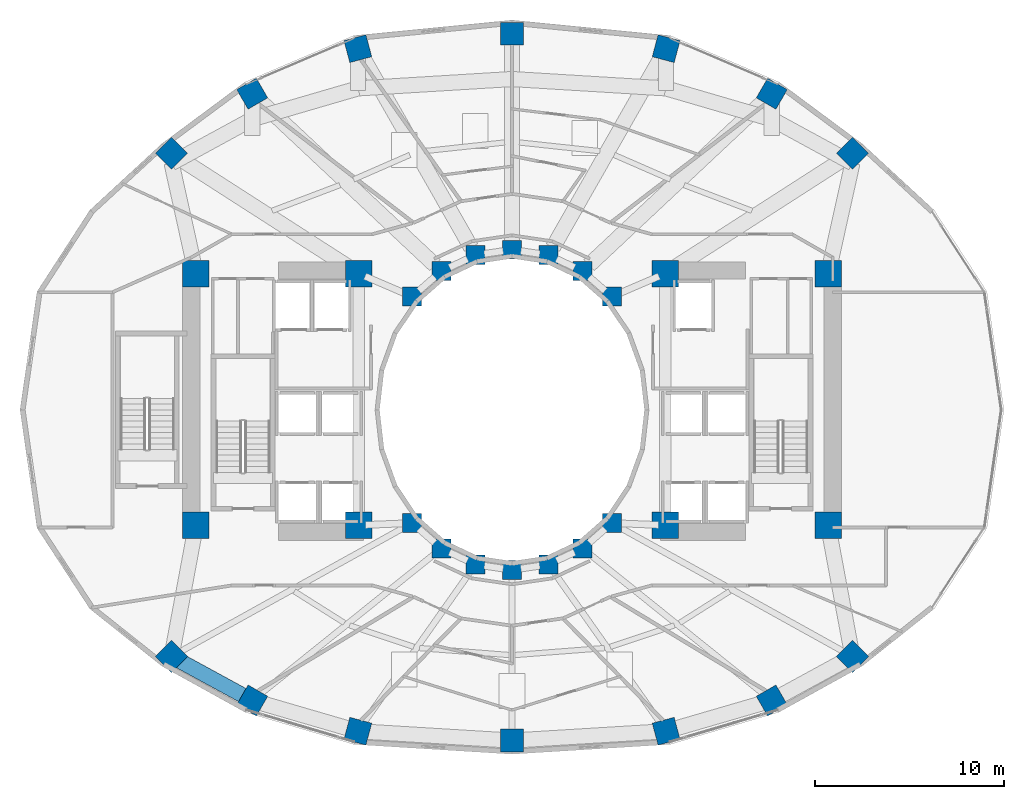
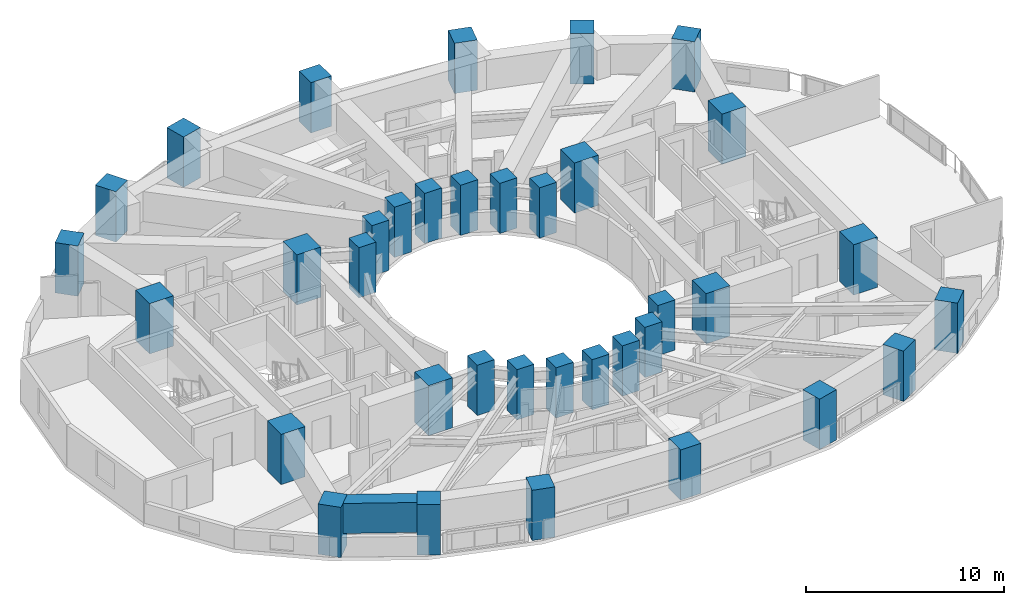
# One storey, part 1 of 22: 36 columns, 1 beam.
"""IFC4 building model written with IfcOpenShell, lengths in metres."""

import ifcopenshell
import ifcopenshell.guid

model = None  # the IFC model being written
_history = None  # IfcOwnerHistory: only IFC2X3 demands one
_inside = {}  # id of a spatial element -> (the spatial element, [elements in it])
_under = {}  # id of a project, library or spatial element -> (it, [spatial elements below it])
_declared = {}  # id of a project -> (the project, [libraries it declares])
_typed = {}  # id of a type object -> (the type object, [elements of that type])
_made_of = {}  # id of a material, layer set ... -> (it, [elements and type objects made of it])


def new_model(schema):
    """Start an empty IFC model of exactly this schema.

    Asked for "IFC4X3", IfcOpenShell would pick the latest addendum, in which some entities
    have other attributes; the version numbers below select the first issue.
    IFC2X3 requires an IfcOwnerHistory on every rooted entity: one is made here for all.
    """
    global model, _history
    if schema == "IFC4X3":
        model = ifcopenshell.file(schema_version=(4, 3, 0, 0))
    else:
        model = ifcopenshell.file(schema=schema)
    _inside.clear()
    _under.clear()
    _declared.clear()
    _typed.clear()
    _made_of.clear()
    _history = None
    if model.schema == "IFC2X3":
        org = make("IfcOrganization", Name="unknown")
        user = make(
            "IfcPersonAndOrganization",
            ThePerson=make("IfcPerson", FamilyName="unknown"),
            TheOrganization=org,
        )
        app = make(
            "IfcApplication",
            ApplicationDeveloper=org,
            Version="unknown",
            ApplicationFullName="unknown",
            ApplicationIdentifier="unknown",
        )
        _history = make(
            "IfcOwnerHistory",
            OwningUser=user,
            OwningApplication=app,
            ChangeAction="ADDED",
            CreationDate=0,
        )
    return model


def make(cls, **values):
    """One entity of the class cls with the attributes given. An attribute that is None is left unset."""
    return model.create_entity(
        cls, **{name: value for name, value in values.items() if value is not None}
    )


def rooted(cls, **values):
    """An entity with a GlobalId (a new one), such as an element, a storey or a relation."""
    return make(cls, GlobalId=ifcopenshell.guid.new(), OwnerHistory=_history, **values)


def si_unit(unit_type, name, prefix=None):
    """IfcSIUnit, for example si_unit("LENGTHUNIT", "METRE", prefix="MILLI")."""
    return make("IfcSIUnit", UnitType=unit_type, Prefix=prefix, Name=name)


def assignment(units):
    """IfcUnitAssignment: the units of a project."""
    return None if units is None else make("IfcUnitAssignment", Units=units)


def point(xyz):
    """IfcCartesianPoint."""
    return None if xyz is None else make("IfcCartesianPoint", Coordinates=xyz)


def direction(xyz):
    """IfcDirection."""
    return None if xyz is None else make("IfcDirection", DirectionRatios=xyz)


def frame(location, z_axis=None, x_axis=None):
    """IfcAxis2Placement3D, a coordinate frame: its origin and axes. An axis left out is left unset."""
    return make(
        "IfcAxis2Placement3D",
        Location=point(location),
        Axis=direction(z_axis),
        RefDirection=direction(x_axis),
    )


def frame_2d(location, x_axis=None):
    """IfcAxis2Placement2D, a coordinate frame in the plane: its origin and x axis."""
    return make(
        "IfcAxis2Placement2D", Location=point(location), RefDirection=direction(x_axis)
    )


def origin():
    """The frame at (0, 0, 0) with its axes left unset."""
    return frame((0.0, 0.0, 0.0))


def origin_2d():
    """The frame at (0, 0) in the plane with its x axis left unset."""
    return frame_2d((0.0, 0.0))


def place(relative_to, where):
    """IfcLocalPlacement: puts the frame where relative to a parent placement (None: the world)."""
    return make(
        "IfcLocalPlacement", PlacementRelTo=relative_to, RelativePlacement=where
    )


def context(
    kind, dimensions, precision=None, world=None, true_north=None, identifier=None
):
    """IfcGeometricRepresentationContext, for example the 3D "Model" context."""
    return make(
        "IfcGeometricRepresentationContext",
        ContextIdentifier=identifier,
        ContextType=kind,
        CoordinateSpaceDimension=dimensions,
        Precision=precision,
        WorldCoordinateSystem=world,
        TrueNorth=true_north,
    )


def subcontext(parent, identifier, kind, view, scale=None):
    """IfcGeometricRepresentationSubContext, for example "Body" below "Model"."""
    return make(
        "IfcGeometricRepresentationSubContext",
        ContextIdentifier=identifier,
        ContextType=kind,
        ParentContext=parent,
        TargetScale=scale,
        TargetView=view,
    )


def project(units=None, contexts=None):
    """IfcProject with its units and contexts."""
    return rooted(
        "IfcProject",
        Name="project",
        RepresentationContexts=contexts,
        UnitsInContext=assignment(units),
    )


def spatial(cls, under=None, at=None, **own):
    """A site, building, storey or space (cls), placed at a placement, below another one or the project."""
    s = rooted(cls, ObjectPlacement=at, **own)
    if under is not None:
        _under.setdefault(under.id(), (under, []))[1].append(s)
    return s


def profile(cls, at=None, kind="AREA", **sizes):
    """A parametric profile (cls). Its sizes go by their IFC names, for example OverallWidth=200.0."""
    return make(cls, ProfileType=kind, Position=at, **sizes)


def rectangle(**sizes):
    """IfcRectangleProfileDef."""
    return profile("IfcRectangleProfileDef", **sizes)


def extrude(swept, where, along, depth):
    """IfcExtrudedAreaSolid: the profile swept, set in the frame where, extruded along a direction by depth."""
    return make(
        "IfcExtrudedAreaSolid",
        SweptArea=swept,
        Position=where,
        ExtrudedDirection=direction(along),
        Depth=depth,
    )


def shape(context_of_items, identifier, shape_type, items):
    """IfcShapeRepresentation: the items that make up one representation, for example the "Body"."""
    return make(
        "IfcShapeRepresentation",
        ContextOfItems=context_of_items,
        RepresentationIdentifier=identifier,
        RepresentationType=shape_type,
        Items=items,
    )


def material(Name=None, Category=None):
    """IfcMaterial."""
    return make("IfcMaterial", Name=Name, Category=Category)


def material_profile(
    of_material, cross_section, Name=None, Category=None, Priority=None
):
    """IfcMaterialProfile: a cross section and its material."""
    return make(
        "IfcMaterialProfile",
        Name=Name,
        Material=of_material,
        Profile=cross_section,
        Priority=Priority,
        Category=Category,
    )


def profile_set(profiles, Name=None, composite=None):
    """IfcMaterialProfileSet."""
    return make(
        "IfcMaterialProfileSet",
        Name=Name,
        MaterialProfiles=profiles,
        CompositeProfile=composite,
    )


def made_of(thing, what):
    """Note that an element or type object is made of a material, layer set ...; save() writes the relation."""
    if what is not None:
        _made_of.setdefault(what.id(), (what, []))[1].append(thing)
    return thing


def type_object(cls, material=None, **own):
    """A type object (cls), such as IfcWallType, which elements share."""
    return made_of(rooted(cls, **own), material)


def element(
    cls,
    number,
    at=None,
    inside=None,
    cuts=None,
    type_object=None,
    material=None,
    context=None,
    identifier="Body",
    shape_type=None,
    held_by="IfcProductDefinitionShape",
    body=None,
    shapes=None,
    **own,
):
    """One element of the class cls, such as IfcWall. Its Tag is "e" and its number.

    at: its placement. inside: the storey or other place that contains it. cuts: it is an
    opening in that element (IfcRelVoidsElement). A single representation is given by context,
    identifier, shape_type and body (its items); several are given by shapes. held_by: the class
    of the entity that holds the representations. save() writes the other relations.
    """
    e = rooted(cls, Tag="e%d" % number, ObjectPlacement=at, **own)
    if body is not None:
        shapes = [shape(context, identifier, shape_type, body)]
    if shapes is not None:
        e.Representation = make(held_by, Representations=shapes)
    if inside is not None:
        _inside.setdefault(inside.id(), (inside, []))[1].append(e)
    if cuts is not None:
        rooted(
            "IfcRelVoidsElement", RelatingBuildingElement=cuts, RelatedOpeningElement=e
        )
    if type_object is not None:
        _typed.setdefault(type_object.id(), (type_object, []))[1].append(e)
    return made_of(e, material)


def aggregate(whole, parts):
    """IfcRelAggregates: a whole, such as a stair, and the parts it consists of."""
    return rooted("IfcRelAggregates", RelatingObject=whole, RelatedObjects=parts)


def save(model, path):
    """Write the relations noted so far, then the file.

    IfcRelAggregates (storeys below a building ...), IfcRelContainedInSpatialStructure (elements
    in a storey), IfcRelDefinesByType, IfcRelAssociatesMaterial and IfcRelDeclares: one each for
    every whole, place, type object, material and project.
    """
    for whole, parts in _under.values():
        aggregate(whole, parts)
    for where, things in _inside.values():
        rooted(
            "IfcRelContainedInSpatialStructure",
            RelatedElements=things,
            RelatingStructure=where,
        )
    for kind, things in _typed.values():
        rooted("IfcRelDefinesByType", RelatedObjects=things, RelatingType=kind)
    for what, things in _made_of.values():
        rooted("IfcRelAssociatesMaterial", RelatedObjects=things, RelatingMaterial=what)
    for by, libraries in _declared.values():
        rooted("IfcRelDeclares", RelatingContext=by, RelatedDefinitions=libraries)
    model.write(path)


model = new_model("IFC4")

# Units and contexts
model_context = context("Model", 3, precision=1e-05, world=origin(), true_north=direction((0.0, 1.0)))
body_context = subcontext(model_context, "Body", "Model", "MODEL_VIEW")
ifc_project = project(units=[si_unit("LENGTHUNIT", "METRE"), si_unit("AREAUNIT", "SQUARE_METRE"), si_unit("VOLUMEUNIT", "CUBIC_METRE"), si_unit("PLANEANGLEUNIT", "RADIAN"), si_unit("MASSUNIT", "GRAM", prefix="KILO")], contexts=[model_context])

# Site, building, storey
site_placement = place(None, origin())
site = spatial("IfcSite", under=ifc_project, at=site_placement, CompositionType="ELEMENT")
building_placement = place(site_placement, origin())
building = spatial("IfcBuilding", under=site, at=building_placement, Name="Solvane Sanctuary Tower", CompositionType="ELEMENT")
storey_placement = place(building_placement, frame((0.0, 0.0, 43.10009765625)))
storey = spatial("IfcBuildingStorey", under=building, at=storey_placement, Name="L12", CompositionType="ELEMENT", Elevation=43.10009765625)

# Columns
ifc_material = material(Name="Concrete C70/85", Category="concrete")
ifc_material_profile_1 = material_profile(ifc_material, rectangle(XDim=1.39990234375, YDim=1.39990234375, at=origin_2d()), Name="RC1400X1400")
ifc_profile_set_1 = profile_set([ifc_material_profile_1], Name="Concrete C70/85")
column_type_1 = type_object("IfcColumnType", Name="Column C-POD-INT RC1400X1400", PredefinedType="COLUMN", material=ifc_profile_set_1)
for number, where, z_axis, x_axis, name in (
    (1, (15.300048828125, 16.89990234375, 0.0), (0.0, 0.0, 1.0), (1.0, 0.0, 0.0), "L12 Core Corner Column CW1"),
    (2, (23.89990234375, 16.89990234375, 0.0), (0.0, 0.0, 1.0), (1.0, 0.0, 0.0), "L12 Core Corner Column CW2"),
    (3, (23.89990234375, 30.199951171875, 0.0), (0.0, 0.0, 1.0), (1.0, 0.0, 0.0), "L12 Core Corner Column CW3"),
    (4, (15.300048828125, 30.199951171875, 0.0), (0.0, 0.0, 1.0), (1.0, 0.0, 0.0), "L12 Core Corner Column CW4"),
    (5, (40.10009765625, 16.89990234375, 0.0), (0.0, 0.0, 1.0), (1.0, 0.0, 0.0), "L12 Core Corner Column CE1"),
    (6, (48.699951171875, 16.89990234375, 0.0), (0.0, 0.0, 1.0), (1.0, 0.0, 0.0), "L12 Core Corner Column CE2"),
    (7, (48.699951171875, 30.199951171875, 0.0), (0.0, 0.0, 1.0), (1.0, 0.0, 0.0), "L12 Core Corner Column CE3"),
    (8, (40.10009765625, 30.199951171875, 0.0), (0.0, 0.0, 1.0), (1.0, 0.0, 0.0), "L12 Core Corner Column CE4"),
):
    element("IfcColumn", number, at=place(storey_placement, frame(where, z_axis=z_axis, x_axis=x_axis)), inside=storey, type_object=column_type_1, Name=name, PredefinedType="COLUMN", context=body_context, shape_type="SweptSolid", body=[
        extrude(rectangle(XDim=1.39990234375, YDim=1.39990234375, at=origin_2d()), origin(), (0.0, 0.0, 1.0), 3.099853515625),
    ])
ifc_material_profile_2 = material_profile(ifc_material, rectangle(XDim=1.0, YDim=1.0, at=origin_2d()), Name="RC1000X1000")
ifc_profile_set_2 = profile_set([ifc_material_profile_2], Name="Concrete C70/85")
column_type_2 = type_object("IfcColumnType", Name="Column C-RING-Z1 RC1000X1000", PredefinedType="COLUMN", material=ifc_profile_set_2)
for number, where, z_axis, x_axis, name in (
    (9, (37.27490234375, 28.982177734375, 0.0), (0.0, 0.0, 1.0), (1.0, 0.0, 0.0), "L12 Inner Light-Well Ring Column IC01"),
    (10, (35.72998046875, 30.32666015625, 0.0), (0.0, 0.0, 1.0), (1.0, 0.0, 0.0), "L12 Inner Light-Well Ring Column IC02"),
    (11, (33.930908203125, 31.171630859375, 0.0), (0.0, 0.0, 1.0), (1.0, 0.0, 0.0), "L12 Inner Light-Well Ring Column IC03"),
    (12, (32.0, 31.4599609375, 0.0), (0.0, 0.0, 1.0), (1.0, 0.0, 0.0), "L12 Inner Light-Well Ring Column IC04"),
    (13, (30.069091796875, 31.171630859375, 0.0), (0.0, 0.0, 1.0), (1.0, 0.0, 0.0), "L12 Inner Light-Well Ring Column IC05"),
    (14, (28.27001953125, 30.32666015625, 0.0), (0.0, 0.0, 1.0), (1.0, 0.0, 0.0), "L12 Inner Light-Well Ring Column IC06"),
    (15, (26.72509765625, 28.982177734375, 0.0), (0.0, 0.0, 1.0), (1.0, 0.0, 0.0), "L12 Inner Light-Well Ring Column IC07"),
    (16, (26.72509765625, 17.017822265625, 0.0), (0.0, 0.0, 1.0), (1.0, 0.0, 0.0), "L12 Inner Light-Well Ring Column IC08"),
    (17, (28.27001953125, 15.67333984375, 0.0), (0.0, 0.0, 1.0), (1.0, 0.0, 0.0), "L12 Inner Light-Well Ring Column IC09"),
    (18, (30.069091796875, 14.828369140625, 0.0), (0.0, 0.0, 1.0), (1.0, 0.0, 0.0), "L12 Inner Light-Well Ring Column IC10"),
    (19, (32.0, 14.5400390625, 0.0), (0.0, 0.0, 1.0), (1.0, 0.0, 0.0), "L12 Inner Light-Well Ring Column IC11"),
    (20, (33.930908203125, 14.828369140625, 0.0), (0.0, 0.0, 1.0), (1.0, 0.0, 0.0), "L12 Inner Light-Well Ring Column IC12"),
    (21, (35.72998046875, 15.67333984375, 0.0), (0.0, 0.0, 1.0), (1.0, 0.0, 0.0), "L12 Inner Light-Well Ring Column IC13"),
    (22, (37.27490234375, 17.017822265625, 0.0), (0.0, 0.0, 1.0), (1.0, 0.0, 0.0), "L12 Inner Light-Well Ring Column IC14"),
):
    element("IfcColumn", number, at=place(storey_placement, frame(where, z_axis=z_axis, x_axis=x_axis)), inside=storey, type_object=column_type_2, Name=name, PredefinedType="COLUMN", context=body_context, shape_type="SweptSolid", body=[
        extrude(rectangle(XDim=1.0, YDim=1.0, at=origin_2d()), origin(), (0.0, 0.0, 1.0), 3.099853515625),
    ])
ifc_material_profile_3 = material_profile(ifc_material, rectangle(XDim=1.199951171875, YDim=1.199951171875, at=origin_2d()), Name="RC1200X1200")
ifc_profile_set_3 = profile_set([ifc_material_profile_3], Name="Concrete C70/85")
column_type_3 = type_object("IfcColumnType", Name="Column C-TUBE-Z1 RC1200X1200", PredefinedType="COLUMN", material=ifc_profile_set_3)
for number, where, z_axis, x_axis, name in (
    (23, (49.99169921875, 36.5537109375, 0.0), (0.0, 0.0, 1.0), (0.707106781187, 0.707106781187, 0.0), "L12 Perimeter Tube Column TC01"),
    (24, (45.727294921875, 39.7041015625, 0.0), (0.0, 0.0, 1.0), (0.5, 0.866025403784, 0.0), "L12 Perimeter Tube Column TC02"),
    (25, (40.14501953125, 42.083740234375, 0.0), (0.0, 0.0, 1.0), (0.258819045103, 0.965925826289, 0.0), "L12 Perimeter Tube Column TC03"),
    (26, (32.0, 42.8798828125, 0.0), (0.0, 0.0, 1.0), (0.0, 1.0, 0.0), "L12 Perimeter Tube Column TC04"),
    (27, (23.85498046875, 42.083740234375, 0.0), (0.0, 0.0, 1.0), (-0.258819045103, 0.965925826289, 0.0), "L12 Perimeter Tube Column TC05"),
    (28, (18.272705078125, 39.7041015625, 0.0), (0.0, 0.0, 1.0), (-0.5, 0.866025403784, 0.0), "L12 Perimeter Tube Column TC06"),
    (29, (14.00830078125, 36.5537109375, 0.0), (0.0, 0.0, 1.0), (-0.707106781187, 0.707106781187, 0.0), "L12 Perimeter Tube Column TC07"),
    (30, (14.00830078125, 9.964599609375, 0.0), (0.0, 0.0, 1.0), (-0.707106781187, -0.707106781187, 0.0), "L12 Perimeter Tube Column TC08"),
    (31, (18.272705078125, 7.640625, 0.0), (0.0, 0.0, 1.0), (-0.5, -0.866025403784, 0.0), "L12 Perimeter Tube Column TC09"),
    (32, (23.85498046875, 6.014404296875, 0.0), (0.0, 0.0, 1.0), (-0.258819045103, -0.965925826289, 0.0), "L12 Perimeter Tube Column TC10"),
    (33, (32.0, 5.52001953125, 0.0), (0.0, 0.0, 1.0), (0.0, -1.0, 0.0), "L12 Perimeter Tube Column TC11"),
    (34, (40.14501953125, 6.014404296875, 0.0), (0.0, 0.0, 1.0), (0.258819045103, -0.965925826289, 0.0), "L12 Perimeter Tube Column TC12"),
    (35, (45.727294921875, 7.640625, 0.0), (0.0, 0.0, 1.0), (0.5, -0.866025403784, 0.0), "L12 Perimeter Tube Column TC13"),
    (36, (49.99169921875, 9.964599609375, 0.0), (0.0, 0.0, 1.0), (0.707106781187, -0.707106781187, 0.0), "L12 Perimeter Tube Column TC14"),
):
    element("IfcColumn", number, at=place(storey_placement, frame(where, z_axis=z_axis, x_axis=x_axis)), inside=storey, type_object=column_type_3, Name=name, PredefinedType="COLUMN", context=body_context, shape_type="SweptSolid", body=[
        extrude(rectangle(XDim=1.199951171875, YDim=1.199951171875, at=origin_2d()), origin(), (0.0, 0.0, 1.0), 3.099853515625),
    ])

# Beam
ifc_material_profile_4 = material_profile(ifc_material, rectangle(XDim=0.800048828125, YDim=1.85009765625, at=origin_2d()), Name="RC800X1850")
ifc_profile_set_4 = profile_set([ifc_material_profile_4], Name="Concrete C70/85")
beam_type = type_object("IfcBeamType", Name="Beam B-XFER-BLK RC800X1850", PredefinedType="BEAM", material=ifc_profile_set_4)
beam_placement = place(storey_placement, frame((14.00830078125, 9.964599609375, 2.1748046875), z_axis=(0.878074180076, -0.478524538853, 0.0), x_axis=(0.478524538853, 0.878074180076, 0.0)))
element("IfcBeam", 37, at=beam_placement, inside=storey, type_object=beam_type, Name="L12 Perimeter Step Transfer Ring NTC08-NTC09", PredefinedType="BEAM", context=body_context, shape_type="SweptSolid", body=[
    extrude(rectangle(XDim=0.800048828125, YDim=1.85009765625, at=origin_2d()), origin(), (0.0, 0.0, 1.0), 4.8564453125),
])

save(model, "model.ifc")
